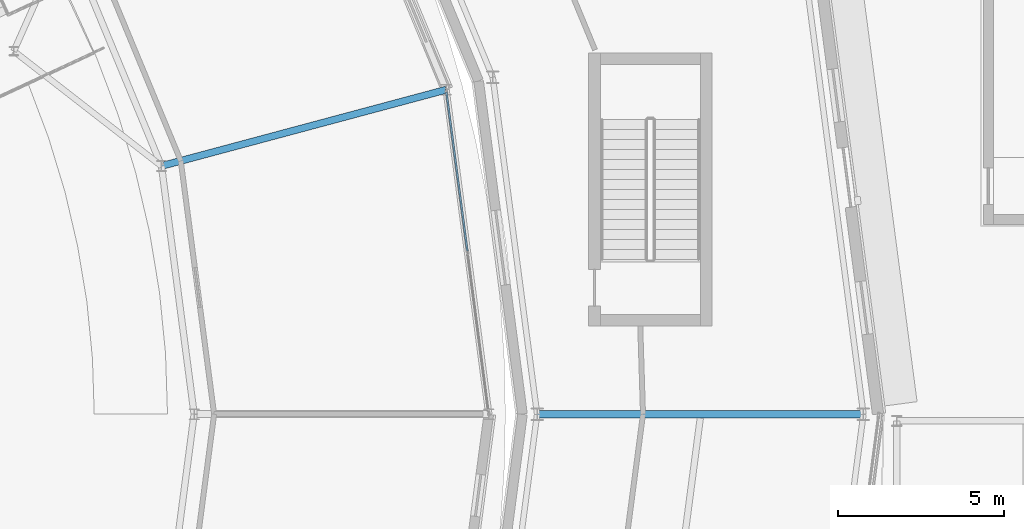
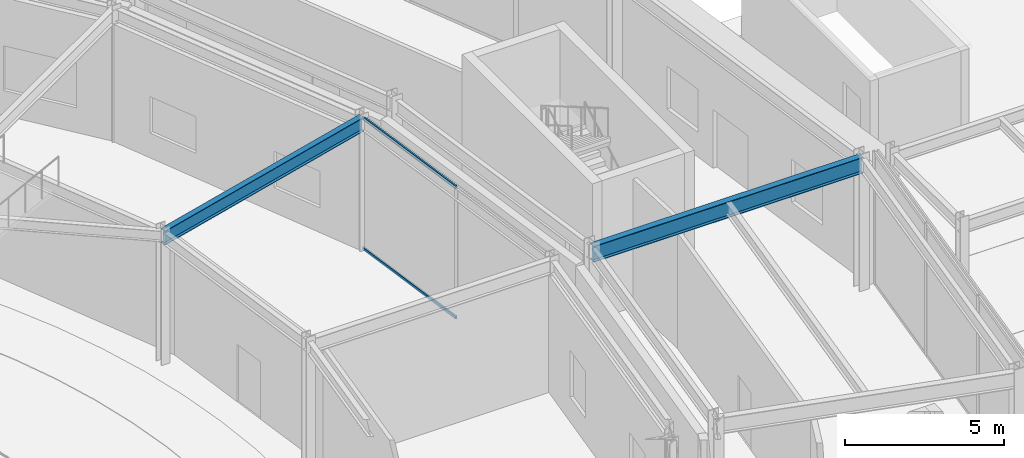
# One storey, part 56 of 168: 2 beams, 2 members, 1 element without a shape of its own.
"""IFC4 building model written with IfcOpenShell, lengths in metres."""

from ifc_helpers import new_model, si_unit, direction, frame, origin, origin_2d, place, context, subcontext, project, spatial, hollow_rectangle, i_section, extrude, material, material_profile, profile_set, type_object, element, aggregate, save


model = new_model("IFC4")

# Units and contexts
model_context = context("Model", 3, precision=1e-05, world=origin(), true_north=direction((0.0, 1.0)))
body_context = subcontext(model_context, "Body", "Model", "MODEL_VIEW")
ifc_project = project(units=[si_unit("LENGTHUNIT", "METRE"), si_unit("AREAUNIT", "SQUARE_METRE"), si_unit("VOLUMEUNIT", "CUBIC_METRE"), si_unit("PLANEANGLEUNIT", "RADIAN"), si_unit("MASSUNIT", "GRAM", prefix="KILO")], contexts=[model_context])

# Site, building, storey
site_placement = place(None, origin())
site = spatial("IfcSite", under=ifc_project, at=site_placement, CompositionType="ELEMENT")
building_placement = place(site_placement, origin())
building = spatial("IfcBuilding", under=site, at=building_placement, Name="Almandine Court Research Institute", CompositionType="ELEMENT")
storey_placement = place(building_placement, origin())
storey = spatial("IfcBuildingStorey", under=building, at=storey_placement, Name="L00", CompositionType="ELEMENT", Elevation=0.0)

# Beams
ifc_material_1 = material(Name="Steel ASTM A992 Grade 50", Category="steel")
ifc_material_profile_1 = material_profile(ifc_material_1, i_section(OverallWidth=0.22998046875, OverallDepth=0.616943359375, WebThickness=0.012939453125, FlangeThickness=0.02197265625, at=origin_2d()), Name="W610x140")
ifc_profile_set_1 = profile_set([ifc_material_profile_1], Name="Steel ASTM A992 Grade 50")
beam_type_1 = type_object("IfcBeamType", Name="Beam-G-02", PredefinedType="BEAM", material=ifc_profile_set_1)
beam_1_placement = place(storey_placement, frame((126.10009765625, 56.0, 4.760986328125), z_axis=(1.0, 0.0, 0.0), x_axis=(0.0, 1.0, 0.0)))
element("IfcBeam", 1, at=beam_1_placement, inside=storey, type_object=beam_type_1, Name="L00 Drum Radial Girder 00", PredefinedType="BEAM", context=body_context, shape_type="SweptSolid", body=[
    extrude(i_section(OverallWidth=0.22998046875, OverallDepth=0.616943359375, WebThickness=0.012939453125, FlangeThickness=0.02197265625, at=origin_2d()), origin(), (0.0, 0.0, 1.0), 9.7998046875),
])
ifc_material_profile_2 = material_profile(ifc_material_1, i_section(OverallWidth=0.2109375, OverallDepth=0.5390625, WebThickness=0.011962890625, FlangeThickness=0.01904296875, at=origin_2d()), Name="W530x109")
ifc_profile_set_2 = profile_set([ifc_material_profile_2], Name="Steel ASTM A992 Grade 50")
beam_type_2 = type_object("IfcBeamType", Name="Beam-G-04", PredefinedType="BEAM", material=ifc_profile_set_2)
beam_2_placement = place(storey_placement, frame((114.819091796875, 63.4541015625, 4.801025390625), z_axis=(0.965908147944, 0.258885012576, 0.0), x_axis=(-0.258885012576, 0.965908147944, 0.0)))
element("IfcBeam", 2, at=beam_2_placement, inside=storey, type_object=beam_type_2, Name="L00 Atrium Gallery Radial Girder", PredefinedType="BEAM", context=body_context, shape_type="SweptSolid", body=[
    extrude(i_section(OverallWidth=0.2109375, OverallDepth=0.5390625, WebThickness=0.011962890625, FlangeThickness=0.01904296875, at=origin_2d()), origin(), (0.0, 0.0, 1.0), 8.849609375),
])

# Curtain wall, members
ifc_material_2 = material(Name="Unitised Curtain Wall Framing and Solar Glazing", Category="glass")
curtain_wall_type = type_object("IfcCurtainWallType", Name="CW-CWG-23", PredefinedType="USERDEFINED", material=ifc_material_2)
curtain_wall_placement = place(storey_placement, origin())
curtain_wall = element("IfcCurtainWall", 3, at=curtain_wall_placement, inside=storey, type_object=curtain_wall_type, Name="L00 Interaction Atrium Perimeter Curtain Wall 00", ObjectType="UNITISED GLAZING", PredefinedType="USERDEFINED")
ifc_material_3 = material(Name="Anodised Aluminium AW-6063-T6", Category="aluminium")
ifc_material_profile_3 = material_profile(ifc_material_3, hollow_rectangle(XDim=0.06005859375, YDim=0.110107421875, WallThickness=0.00390625, at=origin_2d()), Name="ALU RHS 60x110x4")
ifc_profile_set_3 = profile_set([ifc_material_profile_3], Name="Anodised Aluminium AW-6063-T6")
member_type = type_object("IfcMemberType", Name="CWTrn-60x110", PredefinedType="NOTDEFINED", material=ifc_profile_set_3)
member_1_placement = place(storey_placement, frame((123.375732421875, 65.681396484375, 0.030029296875), z_axis=(0.130571116357, -0.991438945963, 0.0), x_axis=(0.991438945963, 0.130571116357, 0.0)))
member_1 = element("IfcMember", 4, at=member_1_placement, type_object=member_type, Name="CWG-23 transom 1.1", ObjectType="TRANSOM", PredefinedType="USERDEFINED", context=body_context, shape_type="SweptSolid", body=[
    extrude(hollow_rectangle(XDim=0.06005859375, YDim=0.110107421875, WallThickness=0.00390625, at=origin_2d()), origin(), (0.0, 0.0, 1.0), 4.8203125),
])
member_2_placement = place(storey_placement, frame((123.375732421875, 65.681396484375, 5.0400390625), z_axis=(0.130571116357, -0.991438945963, 0.0), x_axis=(0.991438945963, 0.130571116357, 0.0)))
member_2 = element("IfcMember", 5, at=member_2_placement, type_object=member_type, Name="CWG-23 transom 1.2", ObjectType="TRANSOM", PredefinedType="USERDEFINED", context=body_context, shape_type="SweptSolid", body=[
    extrude(hollow_rectangle(XDim=0.06005859375, YDim=0.110107421875, WallThickness=0.00390625, at=origin_2d()), origin(), (0.0, 0.0, 1.0), 4.8203125),
])
aggregate(curtain_wall, [member_1, member_2])

save(model, "model.ifc")
